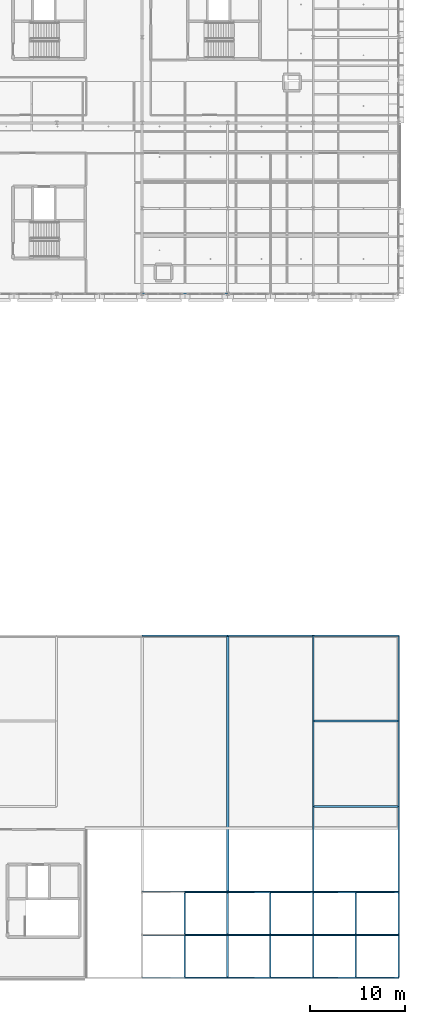
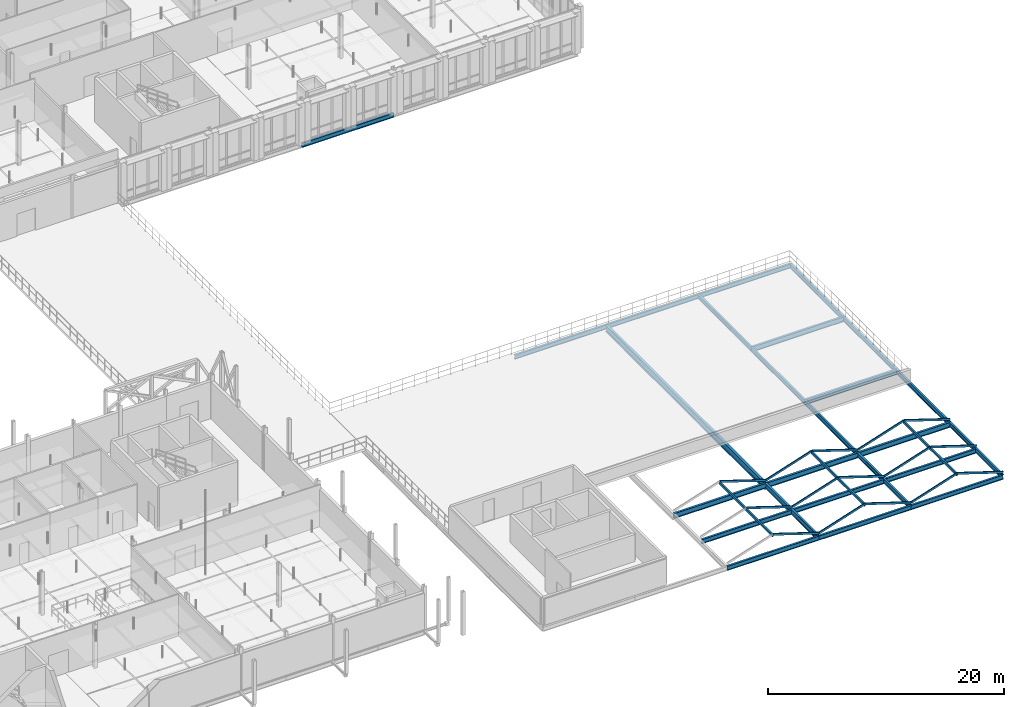
# One storey, part 30 of 89: 28 beams, 15 members.
"""IFC4 building model written with IfcOpenShell, lengths in metres."""

from ifc_helpers import new_model, si_unit, direction, frame, origin, origin_2d, place, context, subcontext, project, spatial, hollow_rectangle, i_section, extrude, material, material_profile, profile_set, type_object, element, save


model = new_model("IFC4")

# Units and contexts
model_context = context("Model", 3, precision=1e-05, world=origin(), true_north=direction((0.0, 1.0)))
body_context = subcontext(model_context, "Body", "Model", "MODEL_VIEW")
ifc_project = project(units=[si_unit("LENGTHUNIT", "METRE"), si_unit("AREAUNIT", "SQUARE_METRE"), si_unit("VOLUMEUNIT", "CUBIC_METRE"), si_unit("PLANEANGLEUNIT", "RADIAN"), si_unit("MASSUNIT", "GRAM", prefix="KILO"), si_unit("THERMODYNAMICTEMPERATUREUNIT", "KELVIN"), si_unit("POWERUNIT", "WATT")], contexts=[model_context])

# Site, building, storey
site_placement = place(None, origin())
site = spatial("IfcSite", under=ifc_project, at=site_placement, CompositionType="ELEMENT")
building_placement = place(site_placement, origin())
building = spatial("IfcBuilding", under=site, at=building_placement, Name="Tallowbark Science Centre", CompositionType="ELEMENT")
storey_placement = place(building_placement, frame((0.0, 0.0, 14.39990234375)))
storey = spatial("IfcBuildingStorey", under=building, at=storey_placement, Name="L03", CompositionType="ELEMENT", Elevation=14.39990234375)

# Beams
ifc_material_1 = material(Name="Structural Steel Grade 300PLUS (300 MPa)", Category="steel")
ifc_material_profile_1 = material_profile(ifc_material_1, i_section(OverallWidth=0.19140625, OverallDepth=0.46044921875, WebThickness=0.010009765625, FlangeThickness=0.01611328125, FilletRadius=0.011474609375, at=origin_2d()), Name="460UB82.1")
ifc_profile_set_1 = profile_set([ifc_material_profile_1], Name="Structural Steel Grade 300PLUS (300 MPa)")
beam_type_1 = type_object("IfcBeamType", Name="BM-UB460A", PredefinedType="BEAM", material=ifc_profile_set_1)
beam_1_placement = place(storey_placement, frame((130.6044921875, 4.5, -0.47998046875), z_axis=(1.0, 0.0, 0.0), x_axis=(0.0, 1.0, 0.0)))
element("IfcBeam", 1, at=beam_1_placement, inside=storey, type_object=beam_type_1, Name="Theatre Acoustic Shell Tie Beam 1-4.5", PredefinedType="BEAM", context=body_context, shape_type="SweptSolid", body=[
    extrude(i_section(OverallWidth=0.19140625, OverallDepth=0.46044921875, WebThickness=0.010009765625, FlangeThickness=0.01611328125, FilletRadius=0.011474609375, at=origin_2d()), origin(), (0.0, 0.0, 1.0), 8.791015625),
])
beam_2_placement = place(storey_placement, frame((139.6044921875, 4.5, -0.47998046875), z_axis=(1.0, 0.0, 0.0), x_axis=(0.0, 1.0, 0.0)))
element("IfcBeam", 2, at=beam_2_placement, inside=storey, type_object=beam_type_1, Name="Theatre Acoustic Shell Tie Beam 2-4.5", PredefinedType="BEAM", context=body_context, shape_type="SweptSolid", body=[
    extrude(i_section(OverallWidth=0.19140625, OverallDepth=0.46044921875, WebThickness=0.010009765625, FlangeThickness=0.01611328125, FilletRadius=0.011474609375, at=origin_2d()), origin(), (0.0, 0.0, 1.0), 8.800537109375),
])
beam_3_placement = place(storey_placement, frame((148.594970703125, 4.5, -0.47998046875), z_axis=(1.0, 0.0, 0.0), x_axis=(0.0, 1.0, 0.0)))
element("IfcBeam", 3, at=beam_3_placement, inside=storey, type_object=beam_type_1, Name="Theatre Acoustic Shell Tie Beam 3-4.5", PredefinedType="BEAM", context=body_context, shape_type="SweptSolid", body=[
    extrude(i_section(OverallWidth=0.19140625, OverallDepth=0.46044921875, WebThickness=0.010009765625, FlangeThickness=0.01611328125, FilletRadius=0.011474609375, at=origin_2d()), origin(), (0.0, 0.0, 1.0), 8.81005859375),
])
ifc_material_profile_2 = material_profile(ifc_material_1, i_section(OverallWidth=0.208984375, OverallDepth=0.532958984375, WebThickness=0.01025390625, FlangeThickness=0.015625, FilletRadius=0.013916015625, at=origin_2d()), Name="530UB92.4")
ifc_profile_set_2 = profile_set([ifc_material_profile_2], Name="Structural Steel Grade 300PLUS (300 MPa)")
beam_type_2 = type_object("IfcBeamType", Name="BM-UB530A", PredefinedType="BEAM", material=ifc_profile_set_2)
for number, where, z_axis, x_axis, name in (
    (4, (130.5, 9.0, -0.511474609375), (1.0, 0.0, 0.0), (0.0, 1.0, 0.0), "Primary Girder GRDX-L03-1305-1395-90"),
    (5, (139.5, 9.0, -0.511474609375), (1.0, 0.0, 0.0), (0.0, 1.0, 0.0), "Primary Girder GRDX-L03-1395-1485-90"),
    (6, (148.5, 9.0, -0.511474609375), (1.0, 0.0, 0.0), (0.0, 1.0, 0.0), "Primary Girder GRDX-L03-1485-1575-90"),
    (7, (148.5, 18.0, -0.511474609375), (1.0, 0.0, 0.0), (0.0, 1.0, 0.0), "Primary Girder GRDX-L03-1485-1575-180"),
    (8, (148.5, 27.0, -0.511474609375), (1.0, 0.0, 0.0), (0.0, 1.0, 0.0), "Primary Girder GRDX-L03-1485-1575-270"),
):
    element("IfcBeam", number, at=place(storey_placement, frame(where, z_axis=z_axis, x_axis=x_axis)), inside=storey, type_object=beam_type_2, Name=name, PredefinedType="BEAM", context=body_context, shape_type="SweptSolid", body=[
        extrude(i_section(OverallWidth=0.208984375, OverallDepth=0.532958984375, WebThickness=0.01025390625, FlangeThickness=0.015625, FilletRadius=0.013916015625, at=origin_2d()), origin(), (0.0, 0.0, 1.0), 9.0),
    ])
ifc_material_profile_3 = material_profile(ifc_material_1, i_section(OverallWidth=0.208740234375, OverallDepth=0.5283203125, WebThickness=0.009521484375, FlangeThickness=0.01318359375, FilletRadius=0.013916015625, at=origin_2d()), Name="530UB82.0")
ifc_profile_set_3 = profile_set([ifc_material_profile_3], Name="Structural Steel Grade 300PLUS (300 MPa)")
beam_type_3 = type_object("IfcBeamType", Name="BM-UB530B", PredefinedType="BEAM", material=ifc_profile_set_3)
beam_4_placement = place(storey_placement, frame((139.5, 0.0, -0.509033203125), z_axis=(0.0, 1.0, 0.0), x_axis=(-1.0, 0.0, 0.0)))
element("IfcBeam", 9, at=beam_4_placement, inside=storey, type_object=beam_type_3, Name="Primary Girder GRDY-L03-1395-0-90", PredefinedType="BEAM", context=body_context, shape_type="SweptSolid", body=[
    extrude(i_section(OverallWidth=0.208740234375, OverallDepth=0.5283203125, WebThickness=0.009521484375, FlangeThickness=0.01318359375, FilletRadius=0.013916015625, at=origin_2d()), origin(), (0.0, 0.0, 1.0), 9.0),
])
ifc_material_profile_4 = material_profile(ifc_material_1, i_section(OverallWidth=0.25, OverallDepth=0.699951171875, WebThickness=0.010009765625, FlangeThickness=0.02001953125, FilletRadius=0.013916015625, at=origin_2d()), Name="700WB130")
ifc_profile_set_4 = profile_set([ifc_material_profile_4], Name="Structural Steel Grade 300PLUS (300 MPa)")
beam_type_4 = type_object("IfcBeamType", Name="BM-WB700", PredefinedType="BEAM", material=ifc_profile_set_4)
beam_5_placement = place(storey_placement, frame((139.5, 9.0, -0.594970703125), z_axis=(0.0, 1.0, 0.0), x_axis=(-1.0, 0.0, 0.0)))
element("IfcBeam", 10, at=beam_5_placement, inside=storey, type_object=beam_type_4, Name="Primary Girder GRDY-L03-1395-90-360", PredefinedType="BEAM", context=body_context, shape_type="SweptSolid", body=[
    extrude(i_section(OverallWidth=0.25, OverallDepth=0.699951171875, WebThickness=0.010009765625, FlangeThickness=0.02001953125, FilletRadius=0.013916015625, at=origin_2d()), origin(), (0.0, 0.0, 1.0), 27.0),
])

# Members
ifc_material_2 = material(Name="Structural Steel Grade C350L0 (350 MPa)", Category="steel")
ifc_material_profile_5 = material_profile(ifc_material_2, hollow_rectangle(XDim=0.10009765625, YDim=0.199951171875, WallThickness=0.006103515625, at=origin_2d()), Name="200x100x6.0RHS")
ifc_profile_set_5 = profile_set([ifc_material_profile_5], Name="Structural Steel Grade C350L0 (350 MPa)")
member_type = type_object("IfcMemberType", Name="RFT-200RHS", PredefinedType="RAFTER", material=ifc_profile_set_5)
for number, where, z_axis, x_axis, name in (
    (11, (135.0, 0.0, 1.4501953125), (0.951796183957, 0.0, -0.306731192096), (0.0, 1.0, 0.0), "Theatre Shell Folded Rafter E 1-0"),
    (12, (135.0, 4.5, 1.4501953125), (0.951796183957, 0.0, -0.306731192096), (0.0, 1.0, 0.0), "Theatre Shell Folded Rafter E 1-4.5"),
    (13, (135.0, 9.0, 1.4501953125), (0.951796183957, 0.0, -0.306731192096), (0.0, 1.0, 0.0), "Theatre Shell Folded Rafter E 1-9"),
    (14, (139.5, 0.0, 0.0), (0.951796183957, 0.0, 0.306731192096), (0.0, 1.0, 0.0), "Theatre Shell Folded Rafter W 2-0"),
    (15, (144.0, 0.0, 1.4501953125), (0.951796183957, 0.0, -0.306731192096), (0.0, 1.0, 0.0), "Theatre Shell Folded Rafter E 2-0"),
    (16, (139.5, 4.5, 0.0), (0.951796183957, 0.0, 0.306731192096), (0.0, 1.0, 0.0), "Theatre Shell Folded Rafter W 2-4.5"),
    (17, (144.0, 4.5, 1.4501953125), (0.951796183957, 0.0, -0.306731192096), (0.0, 1.0, 0.0), "Theatre Shell Folded Rafter E 2-4.5"),
    (18, (139.5, 9.0, 0.0), (0.951796183957, 0.0, 0.306731192096), (0.0, 1.0, 0.0), "Theatre Shell Folded Rafter W 2-9"),
    (19, (144.0, 9.0, 1.4501953125), (0.951796183957, 0.0, -0.306731192096), (0.0, 1.0, 0.0), "Theatre Shell Folded Rafter E 2-9"),
    (20, (148.5, 0.0, 0.0), (0.951796183957, 0.0, 0.306731192096), (0.0, 1.0, 0.0), "Theatre Shell Folded Rafter W 3-0"),
    (21, (153.0, 0.0, 1.4501953125), (0.951796183957, 0.0, -0.306731192096), (0.0, 1.0, 0.0), "Theatre Shell Folded Rafter E 3-0"),
    (22, (148.5, 4.5, 0.0), (0.951796183957, 0.0, 0.306731192096), (0.0, 1.0, 0.0), "Theatre Shell Folded Rafter W 3-4.5"),
    (23, (153.0, 4.5, 1.4501953125), (0.951796183957, 0.0, -0.306731192096), (0.0, 1.0, 0.0), "Theatre Shell Folded Rafter E 3-4.5"),
    (24, (148.5, 9.0, 0.0), (0.951796183957, 0.0, 0.306731192096), (0.0, 1.0, 0.0), "Theatre Shell Folded Rafter W 3-9"),
    (25, (153.0, 9.0, 1.4501953125), (0.951796183957, 0.0, -0.306731192096), (0.0, 1.0, 0.0), "Theatre Shell Folded Rafter E 3-9"),
):
    element("IfcMember", number, at=place(storey_placement, frame(where, z_axis=z_axis, x_axis=x_axis)), inside=storey, type_object=member_type, Name=name, PredefinedType="RAFTER", context=body_context, shape_type="SweptSolid", body=[
        extrude(hollow_rectangle(XDim=0.10009765625, YDim=0.199951171875, WallThickness=0.006103515625, at=origin_2d()), origin(), (0.0, 0.0, 1.0), 4.727783203125),
    ])

# Beams
ifc_material_3 = material(Name="White Architectural Painted Steel Grade C350L0 (350 MPa)", Category="steel")
ifc_material_profile_6 = material_profile(ifc_material_3, hollow_rectangle(XDim=0.14990234375, YDim=0.25, WallThickness=0.009033203125, at=origin_2d()), Name="250x150x9.0RHS")
ifc_profile_set_6 = profile_set([ifc_material_profile_6], Name="White Architectural Painted Steel Grade C350L0 (350 MPa)")
beam_type_5 = type_object("IfcBeamType", Name="SPN-RHS250", PredefinedType="SPANDREL", material=ifc_profile_set_6)
for number, where, z_axis, x_axis, name in (
    (26, (135.0, 0.0, 1.31005859375), (0.0, 1.0, 0.0), (-1.0, 0.0, 0.0), "Theatre Shell Ridge Beam 1"),
    (27, (144.0, 0.0, 1.31005859375), (0.0, 1.0, 0.0), (-1.0, 0.0, 0.0), "Theatre Shell Ridge Beam 2"),
    (28, (153.0, 0.0, 1.31005859375), (0.0, 1.0, 0.0), (-1.0, 0.0, 0.0), "Theatre Shell Ridge Beam 3"),
):
    element("IfcBeam", number, at=place(storey_placement, frame(where, z_axis=z_axis, x_axis=x_axis)), inside=storey, type_object=beam_type_5, Name=name, PredefinedType="SPANDREL", context=body_context, shape_type="SweptSolid", body=[
        extrude(hollow_rectangle(XDim=0.14990234375, YDim=0.25, WallThickness=0.009033203125, at=origin_2d()), origin(), (0.0, 0.0, 1.0), 9.0),
    ])
ifc_material_profile_7 = material_profile(ifc_material_1, i_section(OverallWidth=0.18994140625, OverallDepth=0.453857421875, WebThickness=0.008544921875, FlangeThickness=0.0126953125, FilletRadius=0.011474609375, at=origin_2d()), Name="460UB67.1")
ifc_profile_set_7 = profile_set([ifc_material_profile_7], Name="Structural Steel Grade 300PLUS (300 MPa)")
beam_type_6 = type_object("IfcBeamType", Name="SPN-UB460", PredefinedType="SPANDREL", material=ifc_profile_set_7)
for number, where, z_axis, x_axis, name in (
    (29, (130.5, 0.0, -0.471923828125), (1.0, 0.0, 0.0), (0.0, 1.0, 0.0), "Primary Girder GRDX-L03-1305-1395-0"),
    (30, (139.5, 0.0, -0.471923828125), (1.0, 0.0, 0.0), (0.0, 1.0, 0.0), "Primary Girder GRDX-L03-1395-1485-0"),
    (31, (148.5, 0.0, -0.471923828125), (1.0, 0.0, 0.0), (0.0, 1.0, 0.0), "Primary Girder GRDX-L03-1485-1575-0"),
    (32, (130.5, 36.0, -0.471923828125), (1.0, 0.0, 0.0), (0.0, 1.0, 0.0), "Primary Girder GRDX-L03-1305-1395-360"),
    (33, (139.5, 36.0, -0.471923828125), (1.0, 0.0, 0.0), (0.0, 1.0, 0.0), "Primary Girder GRDX-L03-1395-1485-360"),
    (34, (148.5, 36.0, -0.471923828125), (1.0, 0.0, 0.0), (0.0, 1.0, 0.0), "Primary Girder GRDX-L03-1485-1575-360"),
    (35, (130.5, 72.0, -0.40673828125), (1.0, 0.0, 0.0), (0.0, 1.0, 0.0), "Primary Girder GRDX-L03-1305-1395-720"),
    (36, (148.5, 0.0, -0.471923828125), (0.0, 1.0, 0.0), (-1.0, 0.0, 0.0), "Primary Girder GRDY-L03-1485-0-90"),
    (37, (148.5, 9.0, -0.471923828125), (0.0, 1.0, 0.0), (-1.0, 0.0, 0.0), "Primary Girder GRDY-L03-1485-90-180"),
    (38, (148.5, 18.0, -0.471923828125), (0.0, 1.0, 0.0), (-1.0, 0.0, 0.0), "Primary Girder GRDY-L03-1485-180-270"),
    (39, (148.5, 27.0, -0.471923828125), (0.0, 1.0, 0.0), (-1.0, 0.0, 0.0), "Primary Girder GRDY-L03-1485-270-360"),
    (40, (157.5, 0.0, -0.471923828125), (0.0, 1.0, 0.0), (-1.0, 0.0, 0.0), "Primary Girder GRDY-L03-1575-0-90"),
    (41, (157.5, 9.0, -0.471923828125), (0.0, 1.0, 0.0), (-1.0, 0.0, 0.0), "Primary Girder GRDY-L03-1575-90-180"),
    (42, (157.5, 18.0, -0.471923828125), (0.0, 1.0, 0.0), (-1.0, 0.0, 0.0), "Primary Girder GRDY-L03-1575-180-270"),
    (43, (157.5, 27.0, -0.471923828125), (0.0, 1.0, 0.0), (-1.0, 0.0, 0.0), "Primary Girder GRDY-L03-1575-270-360"),
):
    element("IfcBeam", number, at=place(storey_placement, frame(where, z_axis=z_axis, x_axis=x_axis)), inside=storey, type_object=beam_type_6, Name=name, PredefinedType="SPANDREL", context=body_context, shape_type="SweptSolid", body=[
        extrude(i_section(OverallWidth=0.18994140625, OverallDepth=0.453857421875, WebThickness=0.008544921875, FlangeThickness=0.0126953125, FilletRadius=0.011474609375, at=origin_2d()), origin(), (0.0, 0.0, 1.0), 9.0),
    ])

save(model, "model.ifc")
